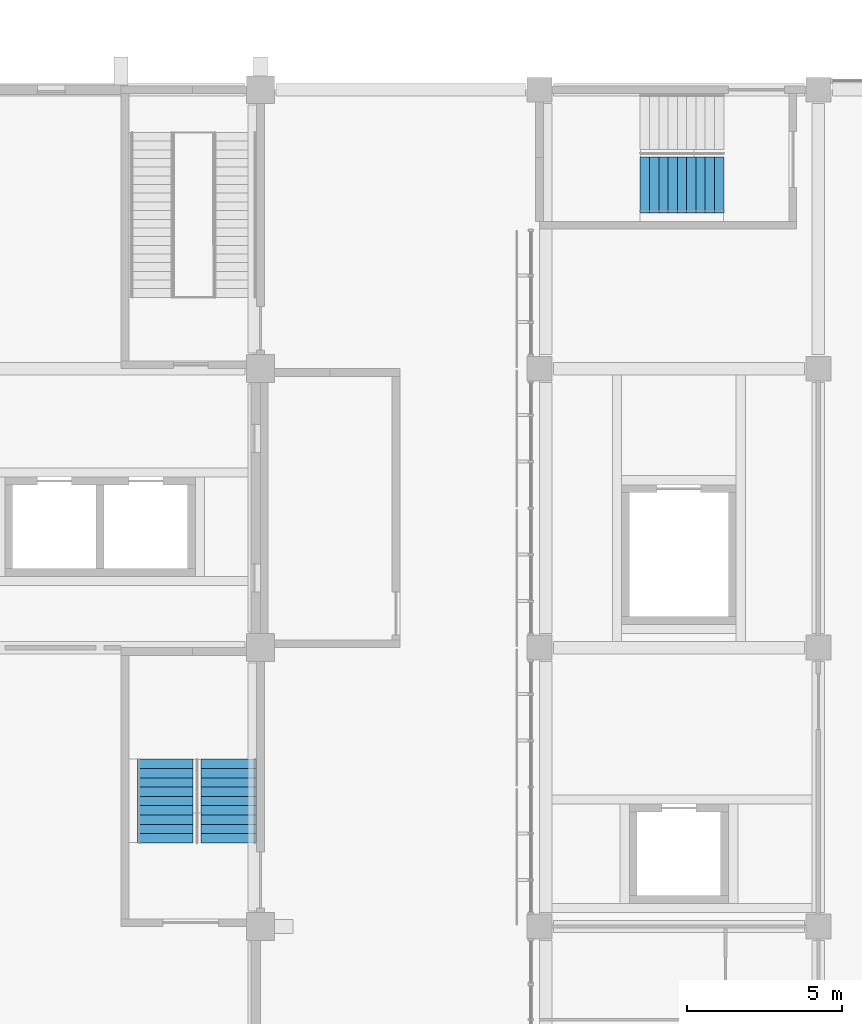
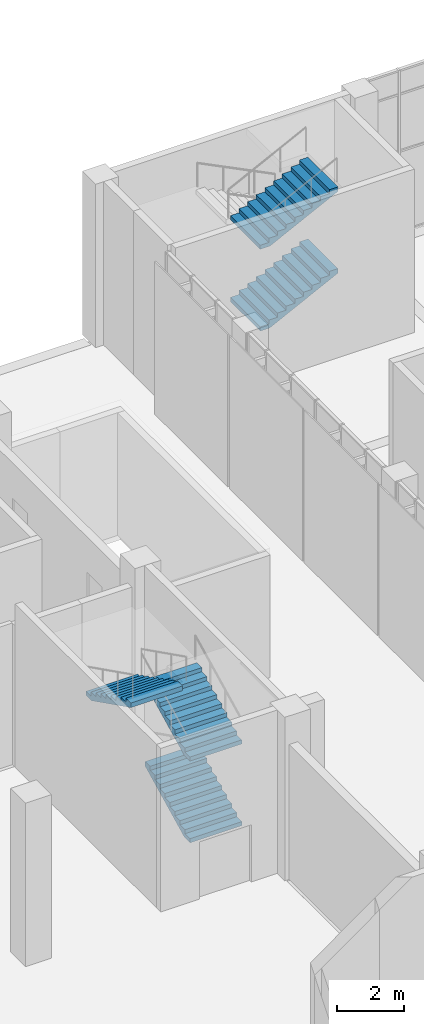
# One storey, part 72 of 86: 5 stair flights, 2 elements without a shape of their own.
"""IFC4 building model written with IfcOpenShell, lengths in metres."""

from ifc_helpers import new_model, si_unit, direction, frame, origin, place, context, subcontext, project, spatial, faceted_brep, material, type_object, element, aggregate, save


model = new_model("IFC4")

# Units and contexts
model_context = context("Model", 3, precision=1e-05, world=origin(), true_north=direction((0.0, 1.0)))
body_context = subcontext(model_context, "Body", "Model", "MODEL_VIEW")
ifc_project = project(units=[si_unit("LENGTHUNIT", "METRE"), si_unit("AREAUNIT", "SQUARE_METRE"), si_unit("VOLUMEUNIT", "CUBIC_METRE"), si_unit("PLANEANGLEUNIT", "RADIAN"), si_unit("MASSUNIT", "GRAM", prefix="KILO")], contexts=[model_context])

# Site, building, storey
site_placement = place(None, origin())
site = spatial("IfcSite", under=ifc_project, at=site_placement, CompositionType="ELEMENT")
building_placement = place(site_placement, origin())
building = spatial("IfcBuilding", under=site, at=building_placement, Name="Guidao Yard Department Store", CompositionType="ELEMENT")
storey_placement = place(building_placement, origin())
storey = spatial("IfcBuildingStorey", under=building, at=storey_placement, Name="L00", CompositionType="ELEMENT", Elevation=0.0)

# Stair, stair flights
ifc_material_1 = material(Name="Concrete C35", Category="concrete")
stair_type = type_object("IfcStairType", Name="Stair double-return four-flight 1800 wide 6.0 m rise", PredefinedType="DOUBLE_RETURN_STAIR", material=ifc_material_1)
stair_1_placement = place(storey_placement, origin())
stair_1 = element("IfcStair", 1, at=stair_1_placement, inside=storey, type_object=stair_type, Name="Stair A4 L00 to L01", PredefinedType="DOUBLE_RETURN_STAIR")
ifc_material_2 = material(Name="Concrete C35", Category="concrete")
stair_flight_type = type_object("IfcStairFlightType", Name="Stair flight RC straight 1800 wide 10 risers x 300 going C35", PredefinedType="STRAIGHT", material=ifc_material_2)
stair_flight_1_placement = place(storey_placement, frame((61.97509765625, 83.699951171875, 0.0), z_axis=(0.0, 0.0, 1.0), x_axis=(0.0, 1.0, 0.0)))
stair_flight_1 = element("IfcStairFlight", 2, at=stair_flight_1_placement, type_object=stair_flight_type, Name="SA4-L00 flight 1", NumberOfRisers=10, NumberOfTreads=9, PredefinedType="STRAIGHT", RiserHeight=0.15, TreadLength=0.3, context=body_context, shape_type="Brep", body=[
    faceted_brep([(0.0, 0.89990234375, 0.0), (0.0, 0.89990234375, 0.14990234375), (0.300048828125, 0.89990234375, 0.14990234375), (0.300048828125, 0.89990234375, 0.300048828125), (0.60009765625, 0.89990234375, 0.300048828125), (0.60009765625, 0.89990234375, 0.449951171875), (0.89990234375, 0.89990234375, 0.449951171875), (0.89990234375, 0.89990234375, 0.60009765625), (1.199951171875, 0.89990234375, 0.60009765625), (1.199951171875, 0.89990234375, 0.75), (1.5, 0.89990234375, 0.75), (1.5, 0.89990234375, 0.89990234375), (1.800048828125, 0.89990234375, 0.89990234375), (1.800048828125, 0.89990234375, 1.050048828125), (2.10009765625, 0.89990234375, 1.050048828125), (2.10009765625, 0.89990234375, 1.199951171875), (2.39990234375, 0.89990234375, 1.199951171875), (2.39990234375, 0.89990234375, 1.35009765625), (2.699951171875, 0.89990234375, 1.35009765625), (2.699951171875, 0.89990234375, 1.182373046875), (0.335205078125, 0.89990234375, 0.0), (0.335205078125, -0.89990234375, 0.0), (2.699951171875, -0.89990234375, 1.182373046875), (2.699951171875, -0.89990234375, 1.35009765625), (2.39990234375, -0.89990234375, 1.35009765625), (2.39990234375, -0.89990234375, 1.199951171875), (2.10009765625, -0.89990234375, 1.199951171875), (2.10009765625, -0.89990234375, 1.050048828125), (1.800048828125, -0.89990234375, 1.050048828125), (1.800048828125, -0.89990234375, 0.89990234375), (1.5, -0.89990234375, 0.89990234375), (1.5, -0.89990234375, 0.75), (1.199951171875, -0.89990234375, 0.75), (1.199951171875, -0.89990234375, 0.60009765625), (0.89990234375, -0.89990234375, 0.60009765625), (0.89990234375, -0.89990234375, 0.449951171875), (0.60009765625, -0.89990234375, 0.449951171875), (0.60009765625, -0.89990234375, 0.300048828125), (0.300048828125, -0.89990234375, 0.300048828125), (0.300048828125, -0.89990234375, 0.14990234375), (0.0, -0.89990234375, 0.14990234375), (0.0, -0.89990234375, 0.0), (0.0, 0.300048828125, 0.0), (0.0, 0.300048828125, 0.14990234375), (0.0, -0.300048828125, 0.0), (0.0, -0.300048828125, 0.14990234375), (0.300048828125, 0.300048828125, 0.14990234375), (0.300048828125, -0.300048828125, 0.14990234375), (0.300048828125, 0.300048828125, 0.300048828125), (0.300048828125, -0.300048828125, 0.300048828125), (0.60009765625, 0.300048828125, 0.300048828125), (0.60009765625, -0.300048828125, 0.300048828125), (0.60009765625, 0.300048828125, 0.449951171875), (0.60009765625, -0.300048828125, 0.449951171875), (0.89990234375, 0.300048828125, 0.449951171875), (0.89990234375, -0.300048828125, 0.449951171875), (0.89990234375, 0.300048828125, 0.60009765625), (0.89990234375, -0.300048828125, 0.60009765625), (1.199951171875, 0.300048828125, 0.60009765625), (1.199951171875, -0.300048828125, 0.60009765625), (1.199951171875, 0.300048828125, 0.75), (1.199951171875, -0.300048828125, 0.75), (1.5, 0.300048828125, 0.75), (1.5, -0.300048828125, 0.75), (1.5, 0.300048828125, 0.89990234375), (1.5, -0.300048828125, 0.89990234375), (1.800048828125, 0.300048828125, 0.89990234375), (1.800048828125, -0.300048828125, 0.89990234375), (1.800048828125, 0.300048828125, 1.050048828125), (1.800048828125, -0.300048828125, 1.050048828125), (2.10009765625, 0.300048828125, 1.050048828125), (2.10009765625, -0.300048828125, 1.050048828125), (2.10009765625, 0.300048828125, 1.199951171875), (2.10009765625, -0.300048828125, 1.199951171875), (2.39990234375, 0.300048828125, 1.199951171875), (2.39990234375, -0.300048828125, 1.199951171875), (2.39990234375, 0.300048828125, 1.35009765625), (2.39990234375, -0.300048828125, 1.35009765625), (2.699951171875, 0.300048828125, 1.35009765625), (2.699951171875, -0.300048828125, 1.35009765625), (2.699951171875, 0.300048828125, 1.182373046875), (2.699951171875, -0.300048828125, 1.182373046875), (0.335205078125, 0.300048828125, 0.0), (0.335205078125, -0.300048828125, 0.0)], [[[0, 1, 2, 3, 4, 5, 6, 7, 8, 9, 10, 11, 12, 13, 14, 15, 16, 17, 18, 19, 20]], [[21, 22, 23, 24, 25, 26, 27, 28, 29, 30, 31, 32, 33, 34, 35, 36, 37, 38, 39, 40, 41]], [[42, 43, 1, 0]], [[44, 45, 43, 42]], [[41, 40, 45, 44]], [[43, 46, 2, 1]], [[45, 47, 46, 43]], [[40, 39, 47, 45]], [[46, 48, 3, 2]], [[47, 49, 48, 46]], [[39, 38, 49, 47]], [[48, 50, 4, 3]], [[49, 51, 50, 48]], [[38, 37, 51, 49]], [[50, 52, 5, 4]], [[51, 53, 52, 50]], [[37, 36, 53, 51]], [[52, 54, 6, 5]], [[53, 55, 54, 52]], [[36, 35, 55, 53]], [[54, 56, 7, 6]], [[55, 57, 56, 54]], [[35, 34, 57, 55]], [[56, 58, 8, 7]], [[57, 59, 58, 56]], [[34, 33, 59, 57]], [[58, 60, 9, 8]], [[59, 61, 60, 58]], [[33, 32, 61, 59]], [[60, 62, 10, 9]], [[61, 63, 62, 60]], [[32, 31, 63, 61]], [[62, 64, 11, 10]], [[63, 65, 64, 62]], [[31, 30, 65, 63]], [[64, 66, 12, 11]], [[65, 67, 66, 64]], [[30, 29, 67, 65]], [[66, 68, 13, 12]], [[67, 69, 68, 66]], [[29, 28, 69, 67]], [[68, 70, 14, 13]], [[69, 71, 70, 68]], [[28, 27, 71, 69]], [[70, 72, 15, 14]], [[71, 73, 72, 70]], [[27, 26, 73, 71]], [[72, 74, 16, 15]], [[73, 75, 74, 72]], [[26, 25, 75, 73]], [[74, 76, 17, 16]], [[75, 77, 76, 74]], [[25, 24, 77, 75]], [[76, 78, 18, 17]], [[77, 79, 78, 76]], [[24, 23, 79, 77]], [[78, 80, 19, 18]], [[79, 81, 80, 78]], [[23, 22, 81, 79]], [[80, 82, 20, 19]], [[81, 83, 82, 80]], [[22, 21, 83, 81]], [[82, 42, 0, 20]], [[83, 44, 42, 82]], [[21, 41, 44, 83]]]),
])
stair_flight_2_placement = place(storey_placement, frame((61.97509765625, 83.699951171875, 3.0), z_axis=(0.0, 0.0, 1.0), x_axis=(0.0, 1.0, 0.0)))
stair_flight_2 = element("IfcStairFlight", 3, at=stair_flight_2_placement, type_object=stair_flight_type, Name="SA4-L00 flight 3", NumberOfRisers=10, NumberOfTreads=9, PredefinedType="STRAIGHT", RiserHeight=0.15, TreadLength=0.3, context=body_context, shape_type="Brep", body=[
    faceted_brep([(0.0, 0.89990234375, 0.0), (0.0, 0.89990234375, 0.14990234375), (0.300048828125, 0.89990234375, 0.14990234375), (0.300048828125, 0.89990234375, 0.300048828125), (0.60009765625, 0.89990234375, 0.300048828125), (0.60009765625, 0.89990234375, 0.449951171875), (0.89990234375, 0.89990234375, 0.449951171875), (0.89990234375, 0.89990234375, 0.60009765625), (1.199951171875, 0.89990234375, 0.60009765625), (1.199951171875, 0.89990234375, 0.75), (1.5, 0.89990234375, 0.75), (1.5, 0.89990234375, 0.89990234375), (1.800048828125, 0.89990234375, 0.89990234375), (1.800048828125, 0.89990234375, 1.050048828125), (2.10009765625, 0.89990234375, 1.050048828125), (2.10009765625, 0.89990234375, 1.199951171875), (2.39990234375, 0.89990234375, 1.199951171875), (2.39990234375, 0.89990234375, 1.35009765625), (2.699951171875, 0.89990234375, 1.35009765625), (2.699951171875, 0.89990234375, 1.182373046875), (0.335205078125, 0.89990234375, 0.0), (0.335205078125, -0.89990234375, 0.0), (2.699951171875, -0.89990234375, 1.182373046875), (2.699951171875, -0.89990234375, 1.35009765625), (2.39990234375, -0.89990234375, 1.35009765625), (2.39990234375, -0.89990234375, 1.199951171875), (2.10009765625, -0.89990234375, 1.199951171875), (2.10009765625, -0.89990234375, 1.050048828125), (1.800048828125, -0.89990234375, 1.050048828125), (1.800048828125, -0.89990234375, 0.89990234375), (1.5, -0.89990234375, 0.89990234375), (1.5, -0.89990234375, 0.75), (1.199951171875, -0.89990234375, 0.75), (1.199951171875, -0.89990234375, 0.60009765625), (0.89990234375, -0.89990234375, 0.60009765625), (0.89990234375, -0.89990234375, 0.449951171875), (0.60009765625, -0.89990234375, 0.449951171875), (0.60009765625, -0.89990234375, 0.300048828125), (0.300048828125, -0.89990234375, 0.300048828125), (0.300048828125, -0.89990234375, 0.14990234375), (0.0, -0.89990234375, 0.14990234375), (0.0, -0.89990234375, 0.0), (0.0, 0.300048828125, 0.0), (0.0, 0.300048828125, 0.14990234375), (0.0, -0.300048828125, 0.0), (0.0, -0.300048828125, 0.14990234375), (0.300048828125, 0.300048828125, 0.14990234375), (0.300048828125, -0.300048828125, 0.14990234375), (0.300048828125, 0.300048828125, 0.300048828125), (0.300048828125, -0.300048828125, 0.300048828125), (0.60009765625, 0.300048828125, 0.300048828125), (0.60009765625, -0.300048828125, 0.300048828125), (0.60009765625, 0.300048828125, 0.449951171875), (0.60009765625, -0.300048828125, 0.449951171875), (0.89990234375, 0.300048828125, 0.449951171875), (0.89990234375, -0.300048828125, 0.449951171875), (0.89990234375, 0.300048828125, 0.60009765625), (0.89990234375, -0.300048828125, 0.60009765625), (1.199951171875, 0.300048828125, 0.60009765625), (1.199951171875, -0.300048828125, 0.60009765625), (1.199951171875, 0.300048828125, 0.75), (1.199951171875, -0.300048828125, 0.75), (1.5, 0.300048828125, 0.75), (1.5, -0.300048828125, 0.75), (1.5, 0.300048828125, 0.89990234375), (1.5, -0.300048828125, 0.89990234375), (1.800048828125, 0.300048828125, 0.89990234375), (1.800048828125, -0.300048828125, 0.89990234375), (1.800048828125, 0.300048828125, 1.050048828125), (1.800048828125, -0.300048828125, 1.050048828125), (2.10009765625, 0.300048828125, 1.050048828125), (2.10009765625, -0.300048828125, 1.050048828125), (2.10009765625, 0.300048828125, 1.199951171875), (2.10009765625, -0.300048828125, 1.199951171875), (2.39990234375, 0.300048828125, 1.199951171875), (2.39990234375, -0.300048828125, 1.199951171875), (2.39990234375, 0.300048828125, 1.35009765625), (2.39990234375, -0.300048828125, 1.35009765625), (2.699951171875, 0.300048828125, 1.35009765625), (2.699951171875, -0.300048828125, 1.35009765625), (2.699951171875, 0.300048828125, 1.182373046875), (2.699951171875, -0.300048828125, 1.182373046875), (0.335205078125, 0.300048828125, 0.0), (0.335205078125, -0.300048828125, 0.0)], [[[0, 1, 2, 3, 4, 5, 6, 7, 8, 9, 10, 11, 12, 13, 14, 15, 16, 17, 18, 19, 20]], [[21, 22, 23, 24, 25, 26, 27, 28, 29, 30, 31, 32, 33, 34, 35, 36, 37, 38, 39, 40, 41]], [[42, 43, 1, 0]], [[44, 45, 43, 42]], [[41, 40, 45, 44]], [[43, 46, 2, 1]], [[45, 47, 46, 43]], [[40, 39, 47, 45]], [[46, 48, 3, 2]], [[47, 49, 48, 46]], [[39, 38, 49, 47]], [[48, 50, 4, 3]], [[49, 51, 50, 48]], [[38, 37, 51, 49]], [[50, 52, 5, 4]], [[51, 53, 52, 50]], [[37, 36, 53, 51]], [[52, 54, 6, 5]], [[53, 55, 54, 52]], [[36, 35, 55, 53]], [[54, 56, 7, 6]], [[55, 57, 56, 54]], [[35, 34, 57, 55]], [[56, 58, 8, 7]], [[57, 59, 58, 56]], [[34, 33, 59, 57]], [[58, 60, 9, 8]], [[59, 61, 60, 58]], [[33, 32, 61, 59]], [[60, 62, 10, 9]], [[61, 63, 62, 60]], [[32, 31, 63, 61]], [[62, 64, 11, 10]], [[63, 65, 64, 62]], [[31, 30, 65, 63]], [[64, 66, 12, 11]], [[65, 67, 66, 64]], [[30, 29, 67, 65]], [[66, 68, 13, 12]], [[67, 69, 68, 66]], [[29, 28, 69, 67]], [[68, 70, 14, 13]], [[69, 71, 70, 68]], [[28, 27, 71, 69]], [[70, 72, 15, 14]], [[71, 73, 72, 70]], [[27, 26, 73, 71]], [[72, 74, 16, 15]], [[73, 75, 74, 72]], [[26, 25, 75, 73]], [[74, 76, 17, 16]], [[75, 77, 76, 74]], [[25, 24, 77, 75]], [[76, 78, 18, 17]], [[77, 79, 78, 76]], [[24, 23, 79, 77]], [[78, 80, 19, 18]], [[79, 81, 80, 78]], [[23, 22, 81, 79]], [[80, 82, 20, 19]], [[81, 83, 82, 80]], [[22, 21, 83, 81]], [[82, 42, 0, 20]], [[83, 44, 42, 82]], [[21, 41, 44, 83]]]),
])
stair_flight_3_placement = place(storey_placement, frame((59.925048828125, 86.39990234375, 4.5), z_axis=(0.0, 0.0, 1.0), x_axis=(0.0, -1.0, 0.0)))
stair_flight_3 = element("IfcStairFlight", 4, at=stair_flight_3_placement, type_object=stair_flight_type, Name="SA4-L00 flight 4", NumberOfRisers=10, NumberOfTreads=9, PredefinedType="STRAIGHT", RiserHeight=0.15, TreadLength=0.3, context=body_context, shape_type="Brep", body=[
    faceted_brep([(0.0, 0.89990234375, 0.0), (0.0, 0.89990234375, 0.14990234375), (0.300048828125, 0.89990234375, 0.14990234375), (0.300048828125, 0.89990234375, 0.300048828125), (0.60009765625, 0.89990234375, 0.300048828125), (0.60009765625, 0.89990234375, 0.449951171875), (0.89990234375, 0.89990234375, 0.449951171875), (0.89990234375, 0.89990234375, 0.60009765625), (1.199951171875, 0.89990234375, 0.60009765625), (1.199951171875, 0.89990234375, 0.75), (1.5, 0.89990234375, 0.75), (1.5, 0.89990234375, 0.89990234375), (1.800048828125, 0.89990234375, 0.89990234375), (1.800048828125, 0.89990234375, 1.050048828125), (2.10009765625, 0.89990234375, 1.050048828125), (2.10009765625, 0.89990234375, 1.199951171875), (2.39990234375, 0.89990234375, 1.199951171875), (2.39990234375, 0.89990234375, 1.35009765625), (2.699951171875, 0.89990234375, 1.35009765625), (2.699951171875, 0.89990234375, 1.182373046875), (0.335205078125, 0.89990234375, 0.0), (0.335205078125, -0.89990234375, 0.0), (2.699951171875, -0.89990234375, 1.182373046875), (2.699951171875, -0.89990234375, 1.35009765625), (2.39990234375, -0.89990234375, 1.35009765625), (2.39990234375, -0.89990234375, 1.199951171875), (2.10009765625, -0.89990234375, 1.199951171875), (2.10009765625, -0.89990234375, 1.050048828125), (1.800048828125, -0.89990234375, 1.050048828125), (1.800048828125, -0.89990234375, 0.89990234375), (1.5, -0.89990234375, 0.89990234375), (1.5, -0.89990234375, 0.75), (1.199951171875, -0.89990234375, 0.75), (1.199951171875, -0.89990234375, 0.60009765625), (0.89990234375, -0.89990234375, 0.60009765625), (0.89990234375, -0.89990234375, 0.449951171875), (0.60009765625, -0.89990234375, 0.449951171875), (0.60009765625, -0.89990234375, 0.300048828125), (0.300048828125, -0.89990234375, 0.300048828125), (0.300048828125, -0.89990234375, 0.14990234375), (0.0, -0.89990234375, 0.14990234375), (0.0, -0.89990234375, 0.0), (0.0, 0.300048828125, 0.0), (0.0, 0.300048828125, 0.14990234375), (0.0, -0.300048828125, 0.0), (0.0, -0.300048828125, 0.14990234375), (0.300048828125, 0.300048828125, 0.14990234375), (0.300048828125, -0.300048828125, 0.14990234375), (0.300048828125, 0.300048828125, 0.300048828125), (0.300048828125, -0.300048828125, 0.300048828125), (0.60009765625, 0.300048828125, 0.300048828125), (0.60009765625, -0.300048828125, 0.300048828125), (0.60009765625, 0.300048828125, 0.449951171875), (0.60009765625, -0.300048828125, 0.449951171875), (0.89990234375, 0.300048828125, 0.449951171875), (0.89990234375, -0.300048828125, 0.449951171875), (0.89990234375, 0.300048828125, 0.60009765625), (0.89990234375, -0.300048828125, 0.60009765625), (1.199951171875, 0.300048828125, 0.60009765625), (1.199951171875, -0.300048828125, 0.60009765625), (1.199951171875, 0.300048828125, 0.75), (1.199951171875, -0.300048828125, 0.75), (1.5, 0.300048828125, 0.75), (1.5, -0.300048828125, 0.75), (1.5, 0.300048828125, 0.89990234375), (1.5, -0.300048828125, 0.89990234375), (1.800048828125, 0.300048828125, 0.89990234375), (1.800048828125, -0.300048828125, 0.89990234375), (1.800048828125, 0.300048828125, 1.050048828125), (1.800048828125, -0.300048828125, 1.050048828125), (2.10009765625, 0.300048828125, 1.050048828125), (2.10009765625, -0.300048828125, 1.050048828125), (2.10009765625, 0.300048828125, 1.199951171875), (2.10009765625, -0.300048828125, 1.199951171875), (2.39990234375, 0.300048828125, 1.199951171875), (2.39990234375, -0.300048828125, 1.199951171875), (2.39990234375, 0.300048828125, 1.35009765625), (2.39990234375, -0.300048828125, 1.35009765625), (2.699951171875, 0.300048828125, 1.35009765625), (2.699951171875, -0.300048828125, 1.35009765625), (2.699951171875, 0.300048828125, 1.182373046875), (2.699951171875, -0.300048828125, 1.182373046875), (0.335205078125, 0.300048828125, 0.0), (0.335205078125, -0.300048828125, 0.0)], [[[0, 1, 2, 3, 4, 5, 6, 7, 8, 9, 10, 11, 12, 13, 14, 15, 16, 17, 18, 19, 20]], [[21, 22, 23, 24, 25, 26, 27, 28, 29, 30, 31, 32, 33, 34, 35, 36, 37, 38, 39, 40, 41]], [[42, 43, 1, 0]], [[44, 45, 43, 42]], [[41, 40, 45, 44]], [[43, 46, 2, 1]], [[45, 47, 46, 43]], [[40, 39, 47, 45]], [[46, 48, 3, 2]], [[47, 49, 48, 46]], [[39, 38, 49, 47]], [[48, 50, 4, 3]], [[49, 51, 50, 48]], [[38, 37, 51, 49]], [[50, 52, 5, 4]], [[51, 53, 52, 50]], [[37, 36, 53, 51]], [[52, 54, 6, 5]], [[53, 55, 54, 52]], [[36, 35, 55, 53]], [[54, 56, 7, 6]], [[55, 57, 56, 54]], [[35, 34, 57, 55]], [[56, 58, 8, 7]], [[57, 59, 58, 56]], [[34, 33, 59, 57]], [[58, 60, 9, 8]], [[59, 61, 60, 58]], [[33, 32, 61, 59]], [[60, 62, 10, 9]], [[61, 63, 62, 60]], [[32, 31, 63, 61]], [[62, 64, 11, 10]], [[63, 65, 64, 62]], [[31, 30, 65, 63]], [[64, 66, 12, 11]], [[65, 67, 66, 64]], [[30, 29, 67, 65]], [[66, 68, 13, 12]], [[67, 69, 68, 66]], [[29, 28, 69, 67]], [[68, 70, 14, 13]], [[69, 71, 70, 68]], [[28, 27, 71, 69]], [[70, 72, 15, 14]], [[71, 73, 72, 70]], [[27, 26, 73, 71]], [[72, 74, 16, 15]], [[73, 75, 74, 72]], [[26, 25, 75, 73]], [[74, 76, 17, 16]], [[75, 77, 76, 74]], [[25, 24, 77, 75]], [[76, 78, 18, 17]], [[77, 79, 78, 76]], [[24, 23, 79, 77]], [[78, 80, 19, 18]], [[79, 81, 80, 78]], [[23, 22, 81, 79]], [[80, 82, 20, 19]], [[81, 83, 82, 80]], [[22, 21, 83, 81]], [[82, 42, 0, 20]], [[83, 44, 42, 82]], [[21, 41, 44, 83]]]),
])
aggregate(stair_1, [stair_flight_1, stair_flight_2, stair_flight_3])

stair_2_placement = place(storey_placement, origin())
stair_2 = element("IfcStair", 5, at=stair_2_placement, inside=storey, type_object=stair_type, Name="Stair G2 L00 to L01", PredefinedType="DOUBLE_RETURN_STAIR")
stair_flight_4_placement = place(storey_placement, frame((75.25, 104.925048828125, 1.5), z_axis=(0.0, 0.0, 1.0), x_axis=(1.0, 0.0, 0.0)))
stair_flight_4 = element("IfcStairFlight", 6, at=stair_flight_4_placement, type_object=stair_flight_type, Name="SG2-L00 flight 2", NumberOfRisers=10, NumberOfTreads=9, PredefinedType="STRAIGHT", RiserHeight=0.15, TreadLength=0.3, context=body_context, shape_type="Brep", body=[
    faceted_brep([(0.0, 0.89990234375, 0.0), (0.0, 0.89990234375, 0.14990234375), (0.300048828125, 0.89990234375, 0.14990234375), (0.300048828125, 0.89990234375, 0.300048828125), (0.60009765625, 0.89990234375, 0.300048828125), (0.60009765625, 0.89990234375, 0.449951171875), (0.89990234375, 0.89990234375, 0.449951171875), (0.89990234375, 0.89990234375, 0.60009765625), (1.199951171875, 0.89990234375, 0.60009765625), (1.199951171875, 0.89990234375, 0.75), (1.5, 0.89990234375, 0.75), (1.5, 0.89990234375, 0.89990234375), (1.800048828125, 0.89990234375, 0.89990234375), (1.800048828125, 0.89990234375, 1.050048828125), (2.10009765625, 0.89990234375, 1.050048828125), (2.10009765625, 0.89990234375, 1.199951171875), (2.39990234375, 0.89990234375, 1.199951171875), (2.39990234375, 0.89990234375, 1.35009765625), (2.699951171875, 0.89990234375, 1.35009765625), (2.699951171875, 0.89990234375, 1.182373046875), (0.335205078125, 0.89990234375, 0.0), (0.335205078125, -0.89990234375, 0.0), (2.699951171875, -0.89990234375, 1.182373046875), (2.699951171875, -0.89990234375, 1.35009765625), (2.39990234375, -0.89990234375, 1.35009765625), (2.39990234375, -0.89990234375, 1.199951171875), (2.10009765625, -0.89990234375, 1.199951171875), (2.10009765625, -0.89990234375, 1.050048828125), (1.800048828125, -0.89990234375, 1.050048828125), (1.800048828125, -0.89990234375, 0.89990234375), (1.5, -0.89990234375, 0.89990234375), (1.5, -0.89990234375, 0.75), (1.199951171875, -0.89990234375, 0.75), (1.199951171875, -0.89990234375, 0.60009765625), (0.89990234375, -0.89990234375, 0.60009765625), (0.89990234375, -0.89990234375, 0.449951171875), (0.60009765625, -0.89990234375, 0.449951171875), (0.60009765625, -0.89990234375, 0.300048828125), (0.300048828125, -0.89990234375, 0.300048828125), (0.300048828125, -0.89990234375, 0.14990234375), (0.0, -0.89990234375, 0.14990234375), (0.0, -0.89990234375, 0.0), (0.0, 0.300048828125, 0.0), (0.0, 0.300048828125, 0.14990234375), (0.0, -0.300048828125, 0.0), (0.0, -0.300048828125, 0.14990234375), (0.300048828125, 0.300048828125, 0.14990234375), (0.300048828125, -0.300048828125, 0.14990234375), (0.300048828125, 0.300048828125, 0.300048828125), (0.300048828125, -0.300048828125, 0.300048828125), (0.60009765625, 0.300048828125, 0.300048828125), (0.60009765625, -0.300048828125, 0.300048828125), (0.60009765625, 0.300048828125, 0.449951171875), (0.60009765625, -0.300048828125, 0.449951171875), (0.89990234375, 0.300048828125, 0.449951171875), (0.89990234375, -0.300048828125, 0.449951171875), (0.89990234375, 0.300048828125, 0.60009765625), (0.89990234375, -0.300048828125, 0.60009765625), (1.199951171875, 0.300048828125, 0.60009765625), (1.199951171875, -0.300048828125, 0.60009765625), (1.199951171875, 0.300048828125, 0.75), (1.199951171875, -0.300048828125, 0.75), (1.5, 0.300048828125, 0.75), (1.5, -0.300048828125, 0.75), (1.5, 0.300048828125, 0.89990234375), (1.5, -0.300048828125, 0.89990234375), (1.800048828125, 0.300048828125, 0.89990234375), (1.800048828125, -0.300048828125, 0.89990234375), (1.800048828125, 0.300048828125, 1.050048828125), (1.800048828125, -0.300048828125, 1.050048828125), (2.10009765625, 0.300048828125, 1.050048828125), (2.10009765625, -0.300048828125, 1.050048828125), (2.10009765625, 0.300048828125, 1.199951171875), (2.10009765625, -0.300048828125, 1.199951171875), (2.39990234375, 0.300048828125, 1.199951171875), (2.39990234375, -0.300048828125, 1.199951171875), (2.39990234375, 0.300048828125, 1.35009765625), (2.39990234375, -0.300048828125, 1.35009765625), (2.699951171875, 0.300048828125, 1.35009765625), (2.699951171875, -0.300048828125, 1.35009765625), (2.699951171875, 0.300048828125, 1.182373046875), (2.699951171875, -0.300048828125, 1.182373046875), (0.335205078125, 0.300048828125, 0.0), (0.335205078125, -0.300048828125, 0.0)], [[[0, 1, 2, 3, 4, 5, 6, 7, 8, 9, 10, 11, 12, 13, 14, 15, 16, 17, 18, 19, 20]], [[21, 22, 23, 24, 25, 26, 27, 28, 29, 30, 31, 32, 33, 34, 35, 36, 37, 38, 39, 40, 41]], [[42, 43, 1, 0]], [[44, 45, 43, 42]], [[41, 40, 45, 44]], [[43, 46, 2, 1]], [[45, 47, 46, 43]], [[40, 39, 47, 45]], [[46, 48, 3, 2]], [[47, 49, 48, 46]], [[39, 38, 49, 47]], [[48, 50, 4, 3]], [[49, 51, 50, 48]], [[38, 37, 51, 49]], [[50, 52, 5, 4]], [[51, 53, 52, 50]], [[37, 36, 53, 51]], [[52, 54, 6, 5]], [[53, 55, 54, 52]], [[36, 35, 55, 53]], [[54, 56, 7, 6]], [[55, 57, 56, 54]], [[35, 34, 57, 55]], [[56, 58, 8, 7]], [[57, 59, 58, 56]], [[34, 33, 59, 57]], [[58, 60, 9, 8]], [[59, 61, 60, 58]], [[33, 32, 61, 59]], [[60, 62, 10, 9]], [[61, 63, 62, 60]], [[32, 31, 63, 61]], [[62, 64, 11, 10]], [[63, 65, 64, 62]], [[31, 30, 65, 63]], [[64, 66, 12, 11]], [[65, 67, 66, 64]], [[30, 29, 67, 65]], [[66, 68, 13, 12]], [[67, 69, 68, 66]], [[29, 28, 69, 67]], [[68, 70, 14, 13]], [[69, 71, 70, 68]], [[28, 27, 71, 69]], [[70, 72, 15, 14]], [[71, 73, 72, 70]], [[27, 26, 73, 71]], [[72, 74, 16, 15]], [[73, 75, 74, 72]], [[26, 25, 75, 73]], [[74, 76, 17, 16]], [[75, 77, 76, 74]], [[25, 24, 77, 75]], [[76, 78, 18, 17]], [[77, 79, 78, 76]], [[24, 23, 79, 77]], [[78, 80, 19, 18]], [[79, 81, 80, 78]], [[23, 22, 81, 79]], [[80, 82, 20, 19]], [[81, 83, 82, 80]], [[22, 21, 83, 81]], [[82, 42, 0, 20]], [[83, 44, 42, 82]], [[21, 41, 44, 83]]]),
])
stair_flight_5_placement = place(storey_placement, frame((75.25, 104.925048828125, 4.5), z_axis=(0.0, 0.0, 1.0), x_axis=(1.0, 0.0, 0.0)))
stair_flight_5 = element("IfcStairFlight", 7, at=stair_flight_5_placement, type_object=stair_flight_type, Name="SG2-L00 flight 4", NumberOfRisers=10, NumberOfTreads=9, PredefinedType="STRAIGHT", RiserHeight=0.15, TreadLength=0.3, context=body_context, shape_type="Brep", body=[
    faceted_brep([(0.0, 0.89990234375, 0.0), (0.0, 0.89990234375, 0.14990234375), (0.300048828125, 0.89990234375, 0.14990234375), (0.300048828125, 0.89990234375, 0.300048828125), (0.60009765625, 0.89990234375, 0.300048828125), (0.60009765625, 0.89990234375, 0.449951171875), (0.89990234375, 0.89990234375, 0.449951171875), (0.89990234375, 0.89990234375, 0.60009765625), (1.199951171875, 0.89990234375, 0.60009765625), (1.199951171875, 0.89990234375, 0.75), (1.5, 0.89990234375, 0.75), (1.5, 0.89990234375, 0.89990234375), (1.800048828125, 0.89990234375, 0.89990234375), (1.800048828125, 0.89990234375, 1.050048828125), (2.10009765625, 0.89990234375, 1.050048828125), (2.10009765625, 0.89990234375, 1.199951171875), (2.39990234375, 0.89990234375, 1.199951171875), (2.39990234375, 0.89990234375, 1.35009765625), (2.699951171875, 0.89990234375, 1.35009765625), (2.699951171875, 0.89990234375, 1.182373046875), (0.335205078125, 0.89990234375, 0.0), (0.335205078125, -0.89990234375, 0.0), (2.699951171875, -0.89990234375, 1.182373046875), (2.699951171875, -0.89990234375, 1.35009765625), (2.39990234375, -0.89990234375, 1.35009765625), (2.39990234375, -0.89990234375, 1.199951171875), (2.10009765625, -0.89990234375, 1.199951171875), (2.10009765625, -0.89990234375, 1.050048828125), (1.800048828125, -0.89990234375, 1.050048828125), (1.800048828125, -0.89990234375, 0.89990234375), (1.5, -0.89990234375, 0.89990234375), (1.5, -0.89990234375, 0.75), (1.199951171875, -0.89990234375, 0.75), (1.199951171875, -0.89990234375, 0.60009765625), (0.89990234375, -0.89990234375, 0.60009765625), (0.89990234375, -0.89990234375, 0.449951171875), (0.60009765625, -0.89990234375, 0.449951171875), (0.60009765625, -0.89990234375, 0.300048828125), (0.300048828125, -0.89990234375, 0.300048828125), (0.300048828125, -0.89990234375, 0.14990234375), (0.0, -0.89990234375, 0.14990234375), (0.0, -0.89990234375, 0.0), (0.0, 0.300048828125, 0.0), (0.0, 0.300048828125, 0.14990234375), (0.0, -0.300048828125, 0.0), (0.0, -0.300048828125, 0.14990234375), (0.300048828125, 0.300048828125, 0.14990234375), (0.300048828125, -0.300048828125, 0.14990234375), (0.300048828125, 0.300048828125, 0.300048828125), (0.300048828125, -0.300048828125, 0.300048828125), (0.60009765625, 0.300048828125, 0.300048828125), (0.60009765625, -0.300048828125, 0.300048828125), (0.60009765625, 0.300048828125, 0.449951171875), (0.60009765625, -0.300048828125, 0.449951171875), (0.89990234375, 0.300048828125, 0.449951171875), (0.89990234375, -0.300048828125, 0.449951171875), (0.89990234375, 0.300048828125, 0.60009765625), (0.89990234375, -0.300048828125, 0.60009765625), (1.199951171875, 0.300048828125, 0.60009765625), (1.199951171875, -0.300048828125, 0.60009765625), (1.199951171875, 0.300048828125, 0.75), (1.199951171875, -0.300048828125, 0.75), (1.5, 0.300048828125, 0.75), (1.5, -0.300048828125, 0.75), (1.5, 0.300048828125, 0.89990234375), (1.5, -0.300048828125, 0.89990234375), (1.800048828125, 0.300048828125, 0.89990234375), (1.800048828125, -0.300048828125, 0.89990234375), (1.800048828125, 0.300048828125, 1.050048828125), (1.800048828125, -0.300048828125, 1.050048828125), (2.10009765625, 0.300048828125, 1.050048828125), (2.10009765625, -0.300048828125, 1.050048828125), (2.10009765625, 0.300048828125, 1.199951171875), (2.10009765625, -0.300048828125, 1.199951171875), (2.39990234375, 0.300048828125, 1.199951171875), (2.39990234375, -0.300048828125, 1.199951171875), (2.39990234375, 0.300048828125, 1.35009765625), (2.39990234375, -0.300048828125, 1.35009765625), (2.699951171875, 0.300048828125, 1.35009765625), (2.699951171875, -0.300048828125, 1.35009765625), (2.699951171875, 0.300048828125, 1.182373046875), (2.699951171875, -0.300048828125, 1.182373046875), (0.335205078125, 0.300048828125, 0.0), (0.335205078125, -0.300048828125, 0.0)], [[[0, 1, 2, 3, 4, 5, 6, 7, 8, 9, 10, 11, 12, 13, 14, 15, 16, 17, 18, 19, 20]], [[21, 22, 23, 24, 25, 26, 27, 28, 29, 30, 31, 32, 33, 34, 35, 36, 37, 38, 39, 40, 41]], [[42, 43, 1, 0]], [[44, 45, 43, 42]], [[41, 40, 45, 44]], [[43, 46, 2, 1]], [[45, 47, 46, 43]], [[40, 39, 47, 45]], [[46, 48, 3, 2]], [[47, 49, 48, 46]], [[39, 38, 49, 47]], [[48, 50, 4, 3]], [[49, 51, 50, 48]], [[38, 37, 51, 49]], [[50, 52, 5, 4]], [[51, 53, 52, 50]], [[37, 36, 53, 51]], [[52, 54, 6, 5]], [[53, 55, 54, 52]], [[36, 35, 55, 53]], [[54, 56, 7, 6]], [[55, 57, 56, 54]], [[35, 34, 57, 55]], [[56, 58, 8, 7]], [[57, 59, 58, 56]], [[34, 33, 59, 57]], [[58, 60, 9, 8]], [[59, 61, 60, 58]], [[33, 32, 61, 59]], [[60, 62, 10, 9]], [[61, 63, 62, 60]], [[32, 31, 63, 61]], [[62, 64, 11, 10]], [[63, 65, 64, 62]], [[31, 30, 65, 63]], [[64, 66, 12, 11]], [[65, 67, 66, 64]], [[30, 29, 67, 65]], [[66, 68, 13, 12]], [[67, 69, 68, 66]], [[29, 28, 69, 67]], [[68, 70, 14, 13]], [[69, 71, 70, 68]], [[28, 27, 71, 69]], [[70, 72, 15, 14]], [[71, 73, 72, 70]], [[27, 26, 73, 71]], [[72, 74, 16, 15]], [[73, 75, 74, 72]], [[26, 25, 75, 73]], [[74, 76, 17, 16]], [[75, 77, 76, 74]], [[25, 24, 77, 75]], [[76, 78, 18, 17]], [[77, 79, 78, 76]], [[24, 23, 79, 77]], [[78, 80, 19, 18]], [[79, 81, 80, 78]], [[23, 22, 81, 79]], [[80, 82, 20, 19]], [[81, 83, 82, 80]], [[22, 21, 83, 81]], [[82, 42, 0, 20]], [[83, 44, 42, 82]], [[21, 41, 44, 83]]]),
])
aggregate(stair_2, [stair_flight_4, stair_flight_5])

save(model, "model.ifc")
